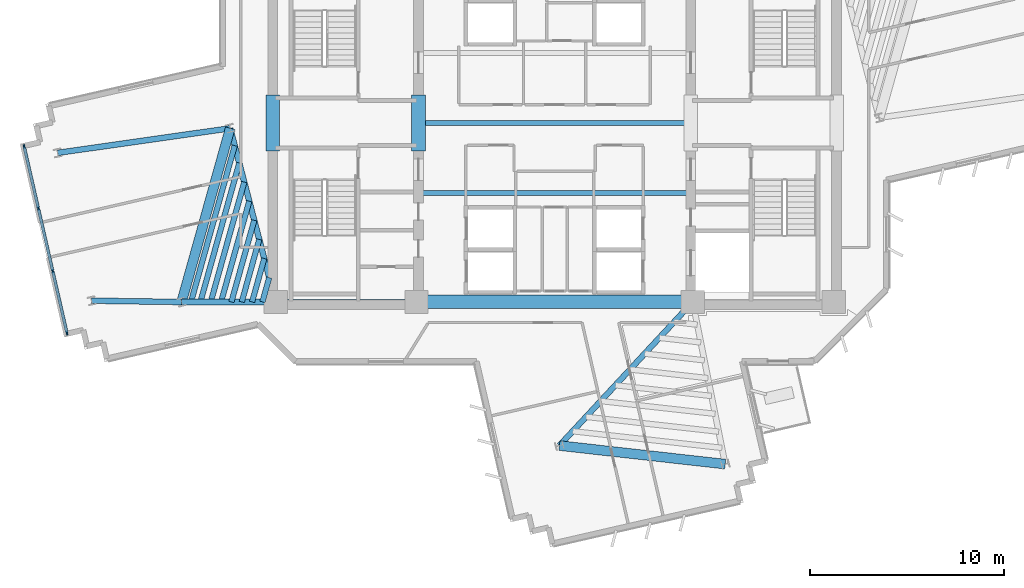
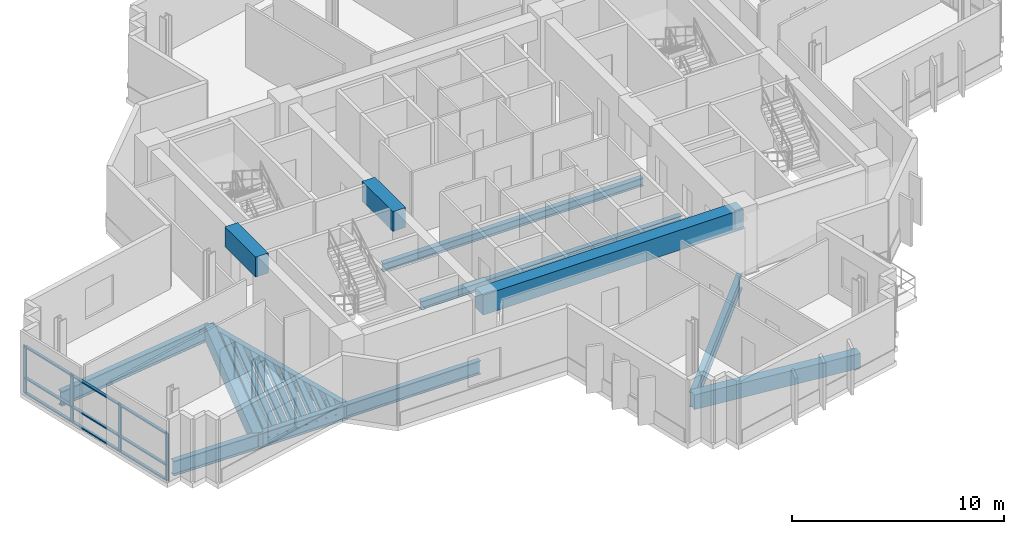
# One storey, part 2 of 13: 21 beams, 13 members, 1 element without a shape of its own.
"""IFC4 building model written with IfcOpenShell, lengths in metres."""

from ifc_helpers import new_model, si_unit, direction, frame, origin, origin_2d, place, context, subcontext, project, spatial, rectangle, i_section, extrude, source, transform, mapped, material, layer, layer_set, material_profile, profile_set, type_object, element, aggregate, save


model = new_model("IFC4")

# Units and contexts
model_context = context("Model", 3, precision=1e-05, world=origin(), true_north=direction((0.0, 1.0)))
body_context = subcontext(model_context, "Body", "Model", "MODEL_VIEW")
ifc_project = project(units=[si_unit("LENGTHUNIT", "METRE"), si_unit("AREAUNIT", "SQUARE_METRE"), si_unit("VOLUMEUNIT", "CUBIC_METRE"), si_unit("PLANEANGLEUNIT", "RADIAN"), si_unit("MASSUNIT", "GRAM", prefix="KILO")], contexts=[model_context])

# Site, building, storey
site_placement = place(None, origin())
site = spatial("IfcSite", under=ifc_project, at=site_placement, CompositionType="ELEMENT")
building_placement = place(site_placement, origin())
building = spatial("IfcBuilding", under=site, at=building_placement, Name="Zahravan Cultural Tower", CompositionType="ELEMENT")
storey_placement = place(building_placement, frame((0.0, 0.0, 174.60009765625)))
storey = spatial("IfcBuildingStorey", under=building, at=storey_placement, Name="L40", CompositionType="ELEMENT", Elevation=174.60009765625)

# Beams
ifc_material_1 = material(Name="Concrete C50/60", Category="concrete")
ifc_material_profile_1 = material_profile(ifc_material_1, rectangle(XDim=0.699951171875, YDim=1.14990234375, at=origin_2d()), Name="RC700X1150")
ifc_profile_set_1 = profile_set([ifc_material_profile_1], Name="Concrete C50/60")
beam_type_1 = type_object("IfcBeamType", Name="BM-LN-RC700X1150", PredefinedType="LINTEL", material=ifc_profile_set_1)
shared_shape_1 = source(origin(), body_context, "Body", "SweptSolid", [
    extrude(rectangle(XDim=0.699951171875, YDim=1.14990234375, at=origin_2d()), origin(), (0.0, 0.0, 1.0), 14.2001953125),
])
beam_1_placement = place(storey_placement, frame((28.89990234375, 17.800048828125, 3.044921875), z_axis=(1.0, 0.0, 0.0), x_axis=(0.0, 1.0, 0.0)))
element("IfcBeam", 1, at=beam_1_placement, inside=storey, type_object=beam_type_1, Name="L40 Beam LN-L40-S", PredefinedType="LINTEL", context=body_context, shape_type="MappedRepresentation", body=[
    mapped(shared_shape_1, transform((0.0, 0.0, 0.0), x_axis=(1.0, 0.0, 0.0), y_axis=(0.0, 1.0, 0.0), z_axis=(0.0, 0.0, 1.0), scale=1.0)),
])
shared_shape_2 = source(origin(), body_context, "Body", "SweptSolid", [
    extrude(rectangle(XDim=0.699951171875, YDim=1.14990234375, at=origin_2d()), origin(), (0.0, 0.0, 1.0), 2.89990234375),
])
for number, where, z_axis, x_axis, name in (
    (2, (21.5, 25.550048828125, 3.044921875), (0.0, 1.0, 0.0), (-1.0, 0.0, 0.0), "L40 Beam LN-L40-PWW"),
    (3, (29.0, 25.550048828125, 3.044921875), (0.0, 1.0, 0.0), (-1.0, 0.0, 0.0), "L40 Beam LN-L40-PWE"),
):
    element("IfcBeam", number, at=place(storey_placement, frame(where, z_axis=z_axis, x_axis=x_axis)), inside=storey, type_object=beam_type_1, Name=name, PredefinedType="LINTEL", context=body_context, shape_type="MappedRepresentation", body=[
        mapped(shared_shape_2, transform((0.0, 0.0, 0.0), x_axis=(1.0, 0.0, 0.0), y_axis=(0.0, 1.0, 0.0), z_axis=(0.0, 0.0, 1.0), scale=1.0)),
    ])
ifc_material_2 = material(Name="Steel ASTM A992 Grade 50", Category="steel")
ifc_material_profile_2 = material_profile(ifc_material_2, i_section(OverallWidth=0.26611328125, OverallDepth=0.780029296875, WebThickness=0.0166015625, FlangeThickness=0.030029296875, FilletRadius=0.01904296875, at=origin_2d()), Name="W30X148")
ifc_profile_set_2 = profile_set([ifc_material_profile_2], Name="Steel ASTM A992 Grade 50")
beam_type_2 = type_object("IfcBeamType", Name="BM-G-W30X148", PredefinedType="BEAM", material=ifc_profile_set_2)
shared_shape_3 = source(origin(), body_context, "Body", "SweptSolid", [
    extrude(i_section(OverallWidth=0.26611328125, OverallDepth=0.780029296875, WebThickness=0.0166015625, FlangeThickness=0.030029296875, FilletRadius=0.01904296875, at=origin_2d()), origin(), (0.0, 0.0, 1.0), 7.25),
])
beam_2_placement = place(storey_placement, frame((21.64990234375, 17.800048828125, -0.670166015625), z_axis=(1.0, 0.0, 0.0), x_axis=(0.0, 1.0, 0.0)))
element("IfcBeam", 4, at=beam_2_placement, inside=storey, type_object=beam_type_2, Name="L40 Beam BG-L40-01", PredefinedType="BEAM", context=body_context, shape_type="MappedRepresentation", body=[
    mapped(shared_shape_3, transform((0.0, 0.0, 0.0), x_axis=(1.0, 0.0, 0.0), y_axis=(0.0, 1.0, 0.0), z_axis=(0.0, 0.0, 1.0), scale=1.0)),
])
ifc_material_profile_3 = material_profile(ifc_material_1, rectangle(XDim=0.5, YDim=0.85009765625, at=origin_2d()), Name="RC500X850")
ifc_profile_set_3 = profile_set([ifc_material_profile_3], Name="Concrete C50/60")
beam_type_3 = type_object("IfcBeamType", Name="BM-SP-RC500X850", PredefinedType="SPANDREL", material=ifc_profile_set_3)
shared_shape_4 = source(origin(), body_context, "Body", "SweptSolid", [
    extrude(rectangle(XDim=0.5, YDim=0.85009765625, at=origin_2d()), origin(), (0.0, 0.0, 1.0), 9.2783203125),
])
beam_3_placement = place(storey_placement, frame((19.315673828125, 26.72900390625, -0.705078125), z_axis=(-0.269497187032, -0.963001176625, 0.0), x_axis=(0.963001176625, -0.269497187032, 0.0)))
element("IfcBeam", 5, at=beam_3_placement, inside=storey, type_object=beam_type_3, Name="L40 Beam SP-L40-19", PredefinedType="SPANDREL", context=body_context, shape_type="MappedRepresentation", body=[
    mapped(shared_shape_4, transform((0.0, 0.0, 0.0), x_axis=(1.0, 0.0, 0.0), y_axis=(0.0, 1.0, 0.0), z_axis=(0.0, 0.0, 1.0), scale=1.0)),
])
shared_shape_5 = source(origin(), body_context, "Body", "SweptSolid", [
    extrude(rectangle(XDim=0.5, YDim=0.85009765625, at=origin_2d()), origin(), (0.0, 0.0, 1.0), 8.579833984375),
])
beam_4_placement = place(storey_placement, frame((36.245361328125, 10.412353515625, -0.705078125), z_axis=(0.9938040105, -0.11114669907, 0.0), x_axis=(0.11114669907, 0.9938040105, 0.0)))
element("IfcBeam", 6, at=beam_4_placement, inside=storey, type_object=beam_type_3, Name="L40 Beam SP-L40-20", PredefinedType="SPANDREL", context=body_context, shape_type="MappedRepresentation", body=[
    mapped(shared_shape_5, transform((0.0, 0.0, 0.0), x_axis=(1.0, 0.0, 0.0), y_axis=(0.0, 1.0, 0.0), z_axis=(0.0, 0.0, 1.0), scale=1.0)),
])
ifc_material_profile_4 = material_profile(ifc_material_2, i_section(OverallWidth=0.29296875, OverallDepth=0.845947265625, WebThickness=0.015380859375, FlangeThickness=0.0244140625, FilletRadius=0.02001953125, at=origin_2d()), Name="W33X141")
ifc_profile_set_4 = profile_set([ifc_material_profile_4], Name="Steel ASTM A992 Grade 50")
beam_type_4 = type_object("IfcBeamType", Name="BM-G-W33X141", PredefinedType="BEAM", material=ifc_profile_set_4)
shared_shape_6 = source(origin(), body_context, "Body", "SweptSolid", [
    extrude(i_section(OverallWidth=0.29296875, OverallDepth=0.845947265625, WebThickness=0.015380859375, FlangeThickness=0.0244140625, FilletRadius=0.02001953125, at=origin_2d()), origin(), (0.0, 0.0, 1.0), 9.22900390625),
])
beam_5_placement = place(storey_placement, frame((21.64990234375, 17.800048828125, -0.703125), z_axis=(-0.252922608408, 0.967486513682, 0.0), x_axis=(-0.967486513682, -0.252922608408, 0.0)))
element("IfcBeam", 7, at=beam_5_placement, inside=storey, type_object=beam_type_4, Name="L40 Beam BG-L40-07", PredefinedType="BEAM", context=body_context, shape_type="MappedRepresentation", body=[
    mapped(shared_shape_6, transform((0.0, 0.0, 0.0), x_axis=(1.0, 0.0, 0.0), y_axis=(0.0, 1.0, 0.0), z_axis=(0.0, 0.0, 1.0), scale=1.0)),
])
shared_shape_7 = source(origin(), body_context, "Body", "SweptSolid", [
    extrude(i_section(OverallWidth=0.29296875, OverallDepth=0.845947265625, WebThickness=0.015380859375, FlangeThickness=0.0244140625, FilletRadius=0.02001953125, at=origin_2d()), origin(), (0.0, 0.0, 1.0), 4.834716796875),
])
beam_6_placement = place(storey_placement, frame((21.64990234375, 17.800048828125, -0.703125), z_axis=(-0.99999920313, -0.001262433979, 0.0), x_axis=(0.001262433979, -0.99999920313, 0.0)))
element("IfcBeam", 8, at=beam_6_placement, inside=storey, type_object=beam_type_4, Name="L40 Beam BG-L40-08", PredefinedType="BEAM", context=body_context, shape_type="MappedRepresentation", body=[
    mapped(shared_shape_7, transform((0.0, 0.0, 0.0), x_axis=(1.0, 0.0, 0.0), y_axis=(0.0, 1.0, 0.0), z_axis=(0.0, 0.0, 1.0), scale=1.0)),
])
shared_shape_8 = source(origin(), body_context, "Body", "SweptSolid", [
    extrude(i_section(OverallWidth=0.29296875, OverallDepth=0.845947265625, WebThickness=0.015380859375, FlangeThickness=0.0244140625, FilletRadius=0.02001953125, at=origin_2d()), origin(), (0.0, 0.0, 1.0), 10.077880859375),
])
beam_7_placement = place(storey_placement, frame((43.10009765625, 17.800048828125, -0.703125), z_axis=(-0.680170435587, -0.733054007938, 0.0), x_axis=(0.733054007938, -0.680170435587, 0.0)))
element("IfcBeam", 9, at=beam_7_placement, inside=storey, type_object=beam_type_4, Name="L40 Beam BG-L40-09", PredefinedType="BEAM", context=body_context, shape_type="MappedRepresentation", body=[
    mapped(shared_shape_8, transform((0.0, 0.0, 0.0), x_axis=(1.0, 0.0, 0.0), y_axis=(0.0, 1.0, 0.0), z_axis=(0.0, 0.0, 1.0), scale=1.0)),
])
shared_shape_9 = source(origin(), body_context, "Body", "SweptSolid", [
    extrude(i_section(OverallWidth=0.29296875, OverallDepth=0.845947265625, WebThickness=0.015380859375, FlangeThickness=0.0244140625, FilletRadius=0.02001953125, at=origin_2d()), origin(), (0.0, 0.0, 1.0), 8.9580078125),
])
beam_8_placement = place(storey_placement, frame((19.315673828125, 26.72900390625, -0.703125), z_axis=(-0.990000122431, -0.141066500584, 0.0), x_axis=(0.141066500584, -0.990000122431, 0.0)))
element("IfcBeam", 10, at=beam_8_placement, inside=storey, type_object=beam_type_4, Name="L40 Beam BG-L40-17", PredefinedType="BEAM", context=body_context, shape_type="MappedRepresentation", body=[
    mapped(shared_shape_9, transform((0.0, 0.0, 0.0), x_axis=(1.0, 0.0, 0.0), y_axis=(0.0, 1.0, 0.0), z_axis=(0.0, 0.0, 1.0), scale=1.0)),
])
shared_shape_10 = source(origin(), body_context, "Body", "SweptSolid", [
    extrude(i_section(OverallWidth=0.29296875, OverallDepth=0.845947265625, WebThickness=0.015380859375, FlangeThickness=0.0244140625, FilletRadius=0.02001953125, at=origin_2d()), origin(), (0.0, 0.0, 1.0), 4.622314453125),
])
beam_9_placement = place(storey_placement, frame((16.815185546875, 17.7939453125, -0.703125), z_axis=(-0.999889070044, 0.014894549562, 0.0), x_axis=(-0.014894549562, -0.999889070044, 0.0)))
element("IfcBeam", 11, at=beam_9_placement, inside=storey, type_object=beam_type_4, Name="L40 Beam BG-L40-18", PredefinedType="BEAM", context=body_context, shape_type="MappedRepresentation", body=[
    mapped(shared_shape_10, transform((0.0, 0.0, 0.0), x_axis=(1.0, 0.0, 0.0), y_axis=(0.0, 1.0, 0.0), z_axis=(0.0, 0.0, 1.0), scale=1.0)),
])
ifc_material_profile_5 = material_profile(ifc_material_2, i_section(OverallWidth=0.280029296875, OverallDepth=0.462890625, WebThickness=0.0107421875, FlangeThickness=0.017333984375, FilletRadius=0.012939453125, at=origin_2d()), Name="W18X76")
ifc_profile_set_5 = profile_set([ifc_material_profile_5], Name="Steel ASTM A992 Grade 50")
beam_type_5 = type_object("IfcBeamType", Name="BM-J-W18X76", PredefinedType="JOIST", material=ifc_profile_set_5)
shared_shape_11 = source(origin(), body_context, "Body", "SweptSolid", [
    extrude(i_section(OverallWidth=0.280029296875, OverallDepth=0.462890625, WebThickness=0.0107421875, FlangeThickness=0.017333984375, FilletRadius=0.012939453125, at=origin_2d()), origin(), (0.0, 0.0, 1.0), 14.2001953125),
])
for number, where, z_axis, x_axis, name in (
    (12, (28.89990234375, 23.39990234375, -0.51171875), (1.0, 0.0, 0.0), (0.0, 1.0, 0.0), "L40 Beam BJ-L40-23"),
    (13, (28.89990234375, 27.0, -0.51171875), (1.0, 0.0, 0.0), (0.0, 1.0, 0.0), "L40 Beam BJ-L40-24"),
):
    element("IfcBeam", number, at=place(storey_placement, frame(where, z_axis=z_axis, x_axis=x_axis)), inside=storey, type_object=beam_type_5, Name=name, PredefinedType="JOIST", context=body_context, shape_type="MappedRepresentation", body=[
        mapped(shared_shape_11, transform((0.0, 0.0, 0.0), x_axis=(1.0, 0.0, 0.0), y_axis=(0.0, 1.0, 0.0), z_axis=(0.0, 0.0, 1.0), scale=1.0)),
    ])
shared_shape_12 = source(origin(), body_context, "Body", "SweptSolid", [
    extrude(i_section(OverallWidth=0.280029296875, OverallDepth=0.462890625, WebThickness=0.0107421875, FlangeThickness=0.017333984375, FilletRadius=0.012939453125, at=origin_2d()), origin(), (0.0, 0.0, 1.0), 1.299072265625),
])
beam_10_placement = place(storey_placement, frame((21.3232421875, 19.050048828125, -0.51171875), z_axis=(-0.269504444708, -0.962999145525, 0.0), x_axis=(0.962999145525, -0.269504444708, 0.0)))
element("IfcBeam", 14, at=beam_10_placement, inside=storey, type_object=beam_type_5, Name="L40 Beam BJ-L40-26", PredefinedType="JOIST", context=body_context, shape_type="MappedRepresentation", body=[
    mapped(shared_shape_12, transform((0.0, 0.0, 0.0), x_axis=(1.0, 0.0, 0.0), y_axis=(0.0, 1.0, 0.0), z_axis=(0.0, 0.0, 1.0), scale=1.0)),
])
shared_shape_13 = source(origin(), body_context, "Body", "SweptSolid", [
    extrude(i_section(OverallWidth=0.280029296875, OverallDepth=0.462890625, WebThickness=0.0107421875, FlangeThickness=0.017333984375, FilletRadius=0.012939453125, at=origin_2d()), origin(), (0.0, 0.0, 1.0), 2.3193359375),
])
beam_11_placement = place(storey_placement, frame((21.06640625, 20.0322265625, -0.51171875), z_axis=(-0.269462038626, -0.963011012263, 0.0), x_axis=(0.963011012263, -0.269462038626, 0.0)))
element("IfcBeam", 15, at=beam_11_placement, inside=storey, type_object=beam_type_5, Name="L40 Beam BJ-L40-27", PredefinedType="JOIST", context=body_context, shape_type="MappedRepresentation", body=[
    mapped(shared_shape_13, transform((0.0, 0.0, 0.0), x_axis=(1.0, 0.0, 0.0), y_axis=(0.0, 1.0, 0.0), z_axis=(0.0, 0.0, 1.0), scale=1.0)),
])
shared_shape_14 = source(origin(), body_context, "Body", "SweptSolid", [
    extrude(i_section(OverallWidth=0.280029296875, OverallDepth=0.462890625, WebThickness=0.0107421875, FlangeThickness=0.017333984375, FilletRadius=0.012939453125, at=origin_2d()), origin(), (0.0, 0.0, 1.0), 3.340087890625),
])
beam_12_placement = place(storey_placement, frame((20.809814453125, 21.014404296875, -0.51171875), z_axis=(-0.269562146951, -0.962982995141, 0.0), x_axis=(0.962982995141, -0.269562146951, 0.0)))
element("IfcBeam", 16, at=beam_12_placement, inside=storey, type_object=beam_type_5, Name="L40 Beam BJ-L40-28", PredefinedType="JOIST", context=body_context, shape_type="MappedRepresentation", body=[
    mapped(shared_shape_14, transform((0.0, 0.0, 0.0), x_axis=(1.0, 0.0, 0.0), y_axis=(0.0, 1.0, 0.0), z_axis=(0.0, 0.0, 1.0), scale=1.0)),
])
shared_shape_15 = source(origin(), body_context, "Body", "SweptSolid", [
    extrude(i_section(OverallWidth=0.280029296875, OverallDepth=0.462890625, WebThickness=0.0107421875, FlangeThickness=0.017333984375, FilletRadius=0.012939453125, at=origin_2d()), origin(), (0.0, 0.0, 1.0), 4.36083984375),
])
beam_13_placement = place(storey_placement, frame((20.552978515625, 21.99658203125, -0.51171875), z_axis=(-0.269511557673, -0.962997154866, 0.0), x_axis=(0.962997154866, -0.269511557673, 0.0)))
element("IfcBeam", 17, at=beam_13_placement, inside=storey, type_object=beam_type_5, Name="L40 Beam BJ-L40-29", PredefinedType="JOIST", context=body_context, shape_type="MappedRepresentation", body=[
    mapped(shared_shape_15, transform((0.0, 0.0, 0.0), x_axis=(1.0, 0.0, 0.0), y_axis=(0.0, 1.0, 0.0), z_axis=(0.0, 0.0, 1.0), scale=1.0)),
])
shared_shape_16 = source(origin(), body_context, "Body", "SweptSolid", [
    extrude(i_section(OverallWidth=0.280029296875, OverallDepth=0.462890625, WebThickness=0.0107421875, FlangeThickness=0.017333984375, FilletRadius=0.012939453125, at=origin_2d()), origin(), (0.0, 0.0, 1.0), 5.3818359375),
])
beam_14_placement = place(storey_placement, frame((20.296142578125, 22.97900390625, -0.51171875), z_axis=(-0.269510454638, -0.962997463569, 0.0), x_axis=(0.962997463569, -0.269510454638, 0.0)))
element("IfcBeam", 18, at=beam_14_placement, inside=storey, type_object=beam_type_5, Name="L40 Beam BJ-L40-30", PredefinedType="JOIST", context=body_context, shape_type="MappedRepresentation", body=[
    mapped(shared_shape_16, transform((0.0, 0.0, 0.0), x_axis=(1.0, 0.0, 0.0), y_axis=(0.0, 1.0, 0.0), z_axis=(0.0, 0.0, 1.0), scale=1.0)),
])
shared_shape_17 = source(origin(), body_context, "Body", "SweptSolid", [
    extrude(i_section(OverallWidth=0.280029296875, OverallDepth=0.462890625, WebThickness=0.0107421875, FlangeThickness=0.017333984375, FilletRadius=0.012939453125, at=origin_2d()), origin(), (0.0, 0.0, 1.0), 6.402099609375),
])
beam_15_placement = place(storey_placement, frame((20.039306640625, 23.961181640625, -0.51171875), z_axis=(-0.269494133533, -0.963002031146, 0.0), x_axis=(0.963002031146, -0.269494133533, 0.0)))
element("IfcBeam", 19, at=beam_15_placement, inside=storey, type_object=beam_type_5, Name="L40 Beam BJ-L40-31", PredefinedType="JOIST", context=body_context, shape_type="MappedRepresentation", body=[
    mapped(shared_shape_17, transform((0.0, 0.0, 0.0), x_axis=(1.0, 0.0, 0.0), y_axis=(0.0, 1.0, 0.0), z_axis=(0.0, 0.0, 1.0), scale=1.0)),
])
shared_shape_18 = source(origin(), body_context, "Body", "SweptSolid", [
    extrude(i_section(OverallWidth=0.280029296875, OverallDepth=0.462890625, WebThickness=0.0107421875, FlangeThickness=0.017333984375, FilletRadius=0.012939453125, at=origin_2d()), origin(), (0.0, 0.0, 1.0), 7.4228515625),
])
beam_16_placement = place(storey_placement, frame((19.78271484375, 24.943359375, -0.51171875), z_axis=(-0.269504266128, -0.962999195503, 0.0), x_axis=(0.962999195503, -0.269504266128, 0.0)))
element("IfcBeam", 20, at=beam_16_placement, inside=storey, type_object=beam_type_5, Name="L40 Beam BJ-L40-32", PredefinedType="JOIST", context=body_context, shape_type="MappedRepresentation", body=[
    mapped(shared_shape_18, transform((0.0, 0.0, 0.0), x_axis=(1.0, 0.0, 0.0), y_axis=(0.0, 1.0, 0.0), z_axis=(0.0, 0.0, 1.0), scale=1.0)),
])
shared_shape_19 = source(origin(), body_context, "Body", "SweptSolid", [
    extrude(i_section(OverallWidth=0.280029296875, OverallDepth=0.462890625, WebThickness=0.0107421875, FlangeThickness=0.017333984375, FilletRadius=0.012939453125, at=origin_2d()), origin(), (0.0, 0.0, 1.0), 8.350830078125),
])
beam_17_placement = place(storey_placement, frame((19.549072265625, 25.836181640625, -0.51171875), z_axis=(-0.269496539555, -0.963001357822, 0.0), x_axis=(0.963001357822, -0.269496539555, 0.0)))
element("IfcBeam", 21, at=beam_17_placement, inside=storey, type_object=beam_type_5, Name="L40 Beam BJ-L40-33", PredefinedType="JOIST", context=body_context, shape_type="MappedRepresentation", body=[
    mapped(shared_shape_19, transform((0.0, 0.0, 0.0), x_axis=(1.0, 0.0, 0.0), y_axis=(0.0, 1.0, 0.0), z_axis=(0.0, 0.0, 1.0), scale=1.0)),
])

# Curtain wall, members
ifc_material_3 = material(Name="Anodised bronze-aluminium mullion", Category="aluminium")
ifc_layer = layer(ifc_material_3, 0.199951171875)
ifc_layer_set = layer_set([ifc_layer], Name="Anodised bronze-aluminium mullion")
curtain_wall_type = type_object("IfcCurtainWallType", Name="CW-SYS-2", PredefinedType="USERDEFINED", material=ifc_layer_set)
curtain_wall_placement = place(storey_placement, origin())
curtain_wall = element("IfcCurtainWall", 22, at=curtain_wall_placement, inside=storey, type_object=curtain_wall_type, Name="L40 Recessed Curtain Wall CW-2.2", ObjectType="RECESSED GLAZING", PredefinedType="USERDEFINED")
ifc_material_profile_6 = material_profile(ifc_material_3, rectangle(XDim=0.14990234375, YDim=0.074951171875, at=origin_2d()), Name="AL-T75X150")
ifc_profile_set_6 = profile_set([ifc_material_profile_6], Name="Anodised bronze-aluminium mullion")
member_type_1 = type_object("IfcMemberType", Name="CWT-CW-2", PredefinedType="USERDEFINED", material=ifc_profile_set_6)
shared_shape_20 = source(origin(), body_context, "Body", "SweptSolid", [
    extrude(rectangle(XDim=0.14990234375, YDim=0.074951171875, at=origin_2d()), origin(), (0.0, 0.0, 1.0), 3.231689453125),
])
member_1_placement = place(storey_placement, frame((10.181396484375, 19.41943359375, 0.037353515625), z_axis=(-0.223612410079, 0.974678146907, 0.0), x_axis=(-0.974678146907, -0.223612410079, 0.0)))
member_1 = element("IfcMember", 23, at=member_1_placement, type_object=member_type_1, Name="CW-2 transom 2.1", ObjectType="TRANSOM", PredefinedType="USERDEFINED", context=body_context, shape_type="MappedRepresentation", body=[
    mapped(shared_shape_20, transform((0.0, 0.0, 0.0), x_axis=(1.0, 0.0, 0.0), y_axis=(0.0, 1.0, 0.0), z_axis=(0.0, 0.0, 1.0), scale=1.0)),
])
member_2_placement = place(storey_placement, frame((10.181396484375, 19.41943359375, 0.89990234375), z_axis=(-0.223612410079, 0.974678146907, 0.0), x_axis=(-0.974678146907, -0.223612410079, 0.0)))
member_2 = element("IfcMember", 24, at=member_2_placement, type_object=member_type_1, Name="CW-2 transom 2.2", ObjectType="TRANSOM", PredefinedType="USERDEFINED", context=body_context, shape_type="MappedRepresentation", body=[
    mapped(shared_shape_20, transform((0.0, 0.0, 0.0), x_axis=(1.0, 0.0, 0.0), y_axis=(0.0, 1.0, 0.0), z_axis=(0.0, 0.0, 1.0), scale=1.0)),
])
member_3_placement = place(storey_placement, frame((10.181396484375, 19.41943359375, 2.702392578125), z_axis=(-0.223612410079, 0.974678146907, 0.0), x_axis=(-0.974678146907, -0.223612410079, 0.0)))
member_3 = element("IfcMember", 25, at=member_3_placement, type_object=member_type_1, Name="CW-2 transom 2.3", ObjectType="TRANSOM", PredefinedType="USERDEFINED", context=body_context, shape_type="MappedRepresentation", body=[
    mapped(shared_shape_20, transform((0.0, 0.0, 0.0), x_axis=(1.0, 0.0, 0.0), y_axis=(0.0, 1.0, 0.0), z_axis=(0.0, 0.0, 1.0), scale=1.0)),
])
ifc_material_profile_7 = material_profile(ifc_material_3, rectangle(XDim=0.074951171875, YDim=0.199951171875, at=origin_2d()), Name="AL-M75X200")
ifc_profile_set_7 = profile_set([ifc_material_profile_7], Name="Anodised bronze-aluminium mullion")
member_type_2 = type_object("IfcMemberType", Name="CWM-CW-2", PredefinedType="MULLION", material=ifc_profile_set_7)
shared_shape_21 = source(origin(), body_context, "Body", "SweptSolid", [
    extrude(rectangle(XDim=0.074951171875, YDim=0.199951171875, at=origin_2d()), origin(), (0.0, 0.0, 1.0), 2.739990234375),
])
member_4_placement = place(storey_placement, frame((10.920654296875, 16.196533203125, 0.0), z_axis=(0.0, 0.0, 1.0), x_axis=(-0.974681078884, -0.223599629842, 0.0)))
member_4 = element("IfcMember", 26, at=member_4_placement, type_object=member_type_2, Name="CW-2 mullion 1", PredefinedType="MULLION", context=body_context, shape_type="MappedRepresentation", body=[
    mapped(shared_shape_21, transform((0.0, 0.0, 0.0), x_axis=(1.0, 0.0, 0.0), y_axis=(0.0, 1.0, 0.0), z_axis=(0.0, 0.0, 1.0), scale=1.0)),
])
member_5_placement = place(storey_placement, frame((10.189697265625, 19.3828125, 0.0), z_axis=(0.0, 0.0, 1.0), x_axis=(-0.974681078884, -0.223599629842, 0.0)))
member_5 = element("IfcMember", 27, at=member_5_placement, type_object=member_type_2, Name="CW-2 mullion 2", PredefinedType="MULLION", context=body_context, shape_type="MappedRepresentation", body=[
    mapped(shared_shape_21, transform((0.0, 0.0, 0.0), x_axis=(1.0, 0.0, 0.0), y_axis=(0.0, 1.0, 0.0), z_axis=(0.0, 0.0, 1.0), scale=1.0)),
])
member_6_placement = place(storey_placement, frame((9.450439453125, 22.60595703125, 0.0), z_axis=(0.0, 0.0, 1.0), x_axis=(-0.974681078884, -0.223599629842, 0.0)))
member_6 = element("IfcMember", 28, at=member_6_placement, type_object=member_type_2, Name="CW-2 mullion 3", PredefinedType="MULLION", context=body_context, shape_type="MappedRepresentation", body=[
    mapped(shared_shape_21, transform((0.0, 0.0, 0.0), x_axis=(1.0, 0.0, 0.0), y_axis=(0.0, 1.0, 0.0), z_axis=(0.0, 0.0, 1.0), scale=1.0)),
])
member_7_placement = place(storey_placement, frame((8.719482421875, 25.792236328125, 0.0), z_axis=(0.0, 0.0, 1.0), x_axis=(-0.974681078884, -0.223599629842, 0.0)))
member_7 = element("IfcMember", 29, at=member_7_placement, type_object=member_type_2, Name="CW-2 mullion 4", PredefinedType="MULLION", context=body_context, shape_type="MappedRepresentation", body=[
    mapped(shared_shape_21, transform((0.0, 0.0, 0.0), x_axis=(1.0, 0.0, 0.0), y_axis=(0.0, 1.0, 0.0), z_axis=(0.0, 0.0, 1.0), scale=1.0)),
])
shared_shape_22 = source(origin(), body_context, "Body", "SweptSolid", [
    extrude(rectangle(XDim=0.14990234375, YDim=0.074951171875, at=origin_2d()), origin(), (0.0, 0.0, 1.0), 3.194091796875),
])
member_8_placement = place(storey_placement, frame((10.912353515625, 16.233154296875, 0.037353515625), z_axis=(-0.223642417861, 0.974671261982, 0.0), x_axis=(-0.974671261982, -0.223642417861, 0.0)))
member_8 = element("IfcMember", 30, at=member_8_placement, type_object=member_type_1, Name="CW-2 transom 1.1", ObjectType="TRANSOM", PredefinedType="USERDEFINED", context=body_context, shape_type="MappedRepresentation", body=[
    mapped(shared_shape_22, transform((0.0, 0.0, 0.0), x_axis=(1.0, 0.0, 0.0), y_axis=(0.0, 1.0, 0.0), z_axis=(0.0, 0.0, 1.0), scale=1.0)),
])
member_9_placement = place(storey_placement, frame((10.912353515625, 16.233154296875, 0.89990234375), z_axis=(-0.223642417861, 0.974671261982, 0.0), x_axis=(-0.974671261982, -0.223642417861, 0.0)))
member_9 = element("IfcMember", 31, at=member_9_placement, type_object=member_type_1, Name="CW-2 transom 1.2", ObjectType="TRANSOM", PredefinedType="USERDEFINED", context=body_context, shape_type="MappedRepresentation", body=[
    mapped(shared_shape_22, transform((0.0, 0.0, 0.0), x_axis=(1.0, 0.0, 0.0), y_axis=(0.0, 1.0, 0.0), z_axis=(0.0, 0.0, 1.0), scale=1.0)),
])
member_10_placement = place(storey_placement, frame((10.912353515625, 16.233154296875, 2.702392578125), z_axis=(-0.223642417861, 0.974671261982, 0.0), x_axis=(-0.974671261982, -0.223642417861, 0.0)))
member_10 = element("IfcMember", 32, at=member_10_placement, type_object=member_type_1, Name="CW-2 transom 1.3", ObjectType="TRANSOM", PredefinedType="USERDEFINED", context=body_context, shape_type="MappedRepresentation", body=[
    mapped(shared_shape_22, transform((0.0, 0.0, 0.0), x_axis=(1.0, 0.0, 0.0), y_axis=(0.0, 1.0, 0.0), z_axis=(0.0, 0.0, 1.0), scale=1.0)),
])
member_11_placement = place(storey_placement, frame((9.44189453125, 22.642333984375, 0.037353515625), z_axis=(-0.223569806042, 0.974687920222, 0.0), x_axis=(-0.974687920222, -0.223569806042, 0.0)))
member_11 = element("IfcMember", 33, at=member_11_placement, type_object=member_type_1, Name="CW-2 transom 3.1", ObjectType="TRANSOM", PredefinedType="USERDEFINED", context=body_context, shape_type="MappedRepresentation", body=[
    mapped(shared_shape_22, transform((0.0, 0.0, 0.0), x_axis=(1.0, 0.0, 0.0), y_axis=(0.0, 1.0, 0.0), z_axis=(0.0, 0.0, 1.0), scale=1.0)),
])
member_12_placement = place(storey_placement, frame((9.44189453125, 22.642333984375, 0.89990234375), z_axis=(-0.223569806042, 0.974687920222, 0.0), x_axis=(-0.974687920222, -0.223569806042, 0.0)))
member_12 = element("IfcMember", 34, at=member_12_placement, type_object=member_type_1, Name="CW-2 transom 3.2", ObjectType="TRANSOM", PredefinedType="USERDEFINED", context=body_context, shape_type="MappedRepresentation", body=[
    mapped(shared_shape_22, transform((0.0, 0.0, 0.0), x_axis=(1.0, 0.0, 0.0), y_axis=(0.0, 1.0, 0.0), z_axis=(0.0, 0.0, 1.0), scale=1.0)),
])
member_13_placement = place(storey_placement, frame((9.44189453125, 22.642333984375, 2.702392578125), z_axis=(-0.223569806042, 0.974687920222, 0.0), x_axis=(-0.974687920222, -0.223569806042, 0.0)))
member_13 = element("IfcMember", 35, at=member_13_placement, type_object=member_type_1, Name="CW-2 transom 3.3", ObjectType="TRANSOM", PredefinedType="USERDEFINED", context=body_context, shape_type="MappedRepresentation", body=[
    mapped(shared_shape_22, transform((0.0, 0.0, 0.0), x_axis=(1.0, 0.0, 0.0), y_axis=(0.0, 1.0, 0.0), z_axis=(0.0, 0.0, 1.0), scale=1.0)),
])
aggregate(curtain_wall, [member_4, member_5, member_6, member_7, member_8, member_9, member_10, member_1, member_2, member_3, member_11, member_12, member_13])

save(model, "model.ifc")
